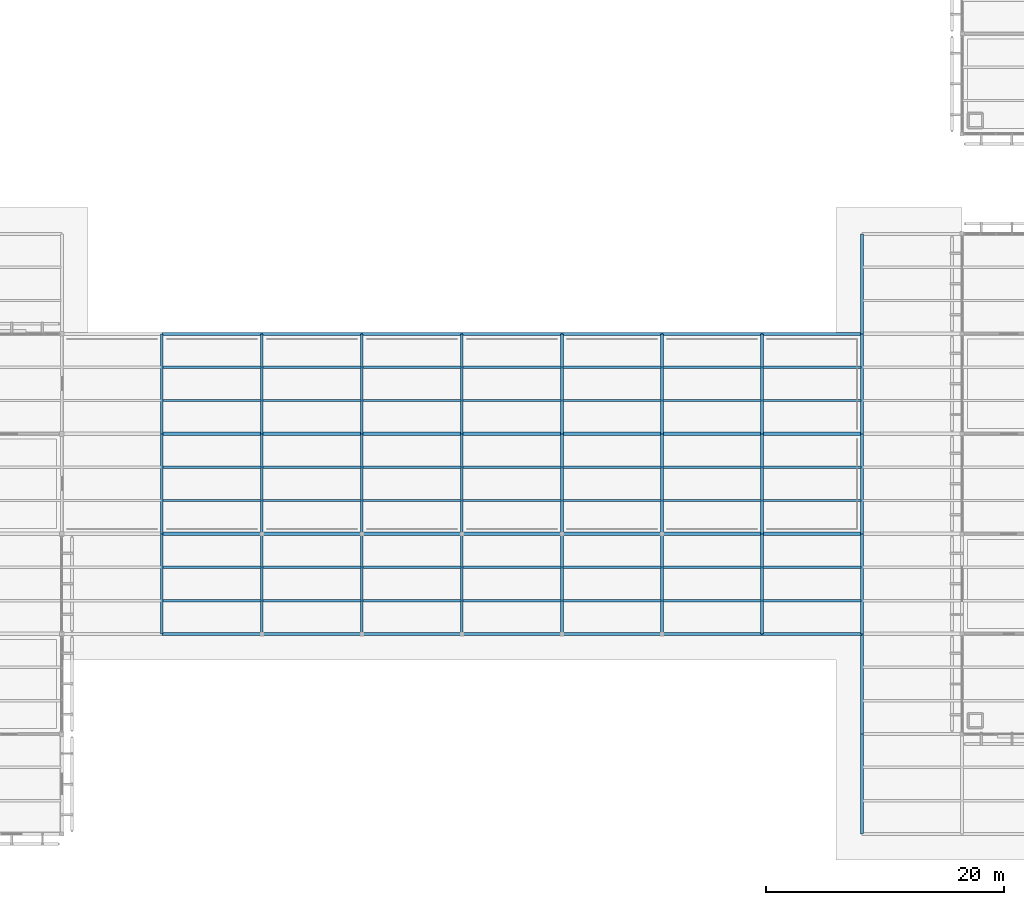
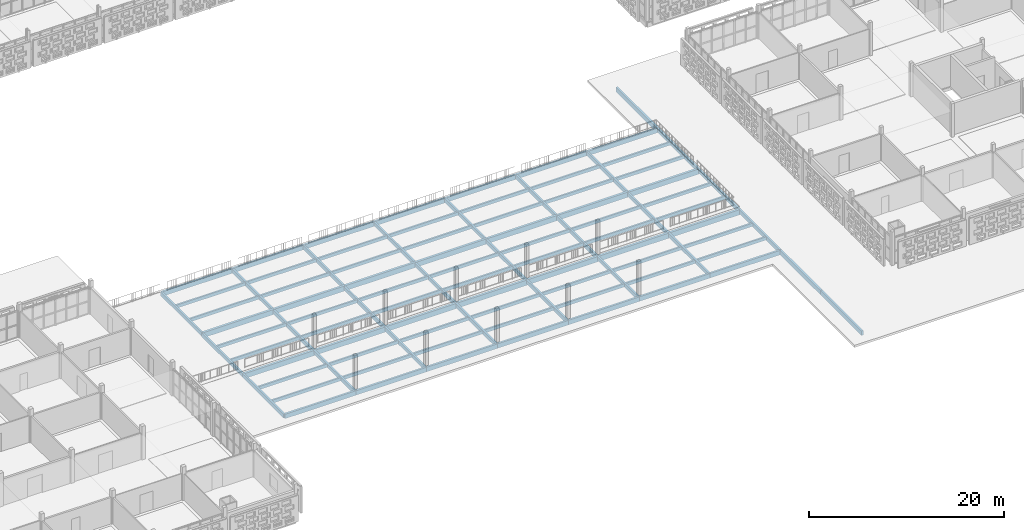
# One storey, part 30 of 166: 97 beams.
"""IFC4 building model written with IfcOpenShell, lengths in metres."""

from ifc_helpers import new_model, si_unit, direction, frame, origin, origin_2d, place, context, subcontext, project, spatial, rectangle, extrude, material, material_profile, profile_set, type_object, element, save


model = new_model("IFC4")

# Units and contexts
model_context = context("Model", 3, precision=1e-05, world=origin(), true_north=direction((0.0, 1.0)))
body_context = subcontext(model_context, "Body", "Model", "MODEL_VIEW")
ifc_project = project(units=[si_unit("LENGTHUNIT", "METRE"), si_unit("AREAUNIT", "SQUARE_METRE"), si_unit("VOLUMEUNIT", "CUBIC_METRE"), si_unit("PLANEANGLEUNIT", "RADIAN"), si_unit("MASSUNIT", "GRAM", prefix="KILO")], contexts=[model_context])

# Site, building, storey
site_placement = place(None, origin())
site = spatial("IfcSite", under=ifc_project, at=site_placement, CompositionType="ELEMENT")
building_placement = place(site_placement, origin())
building = spatial("IfcBuilding", under=site, at=building_placement, Name="Varnapada Polytechnic", CompositionType="ELEMENT")
storey_placement = place(building_placement, frame((0.0, 0.0, 9.60009765625)))
storey = spatial("IfcBuildingStorey", under=building, at=storey_placement, Name="L02", CompositionType="ELEMENT", Elevation=9.60009765625)

# Beams
ifc_material = material(Name="Glulam GL32h", Category="wood")
ifc_material_profile_1 = material_profile(ifc_material, rectangle(XDim=0.280029296875, YDim=0.639892578125, at=origin_2d()), Name="GL 280x640")
ifc_profile_set_1 = profile_set([ifc_material_profile_1], Name="Glulam GL32h")
beam_type_1 = type_object("IfcBeamType", Name="Laboratory primary glulam girder GG-02 (GL 280x640)", PredefinedType="BEAM", material=ifc_profile_set_1)
for number, where, z_axis, x_axis, name in (
    (1, (67.199951171875, 25.199951171875, -0.590087890625), (1.0, 0.0, 0.0), (0.0, 1.0, 0.0), "L02 beam X 9-10 at Y4"),
    (2, (67.199951171875, 33.60009765625, -0.550048828125), (1.0, 0.0, 0.0), (0.0, 1.0, 0.0), "L02 beam X 9-10 at Y5"),
):
    element("IfcBeam", number, at=place(storey_placement, frame(where, z_axis=z_axis, x_axis=x_axis)), inside=storey, type_object=beam_type_1, Name=name, PredefinedType="BEAM", context=body_context, shape_type="SweptSolid", body=[
        extrude(rectangle(XDim=0.280029296875, YDim=0.639892578125, at=origin_2d()), origin(), (0.0, 0.0, 1.0), 8.400146484375),
    ])
for number, where, z_axis, x_axis, name in (
    (3, (75.60009765625, 25.199951171875, -0.590087890625), (1.0, 0.0, 0.0), (0.0, 1.0, 0.0), "L02 beam X 10-11 at Y4"),
    (4, (75.60009765625, 33.60009765625, -0.550048828125), (1.0, 0.0, 0.0), (0.0, 1.0, 0.0), "L02 beam X 10-11 at Y5"),
    (5, (84.0, 25.199951171875, -0.590087890625), (1.0, 0.0, 0.0), (0.0, 1.0, 0.0), "L02 beam X 11-12 at Y4"),
    (6, (84.0, 33.60009765625, -0.550048828125), (1.0, 0.0, 0.0), (0.0, 1.0, 0.0), "L02 beam X 11-12 at Y5"),
):
    element("IfcBeam", number, at=place(storey_placement, frame(where, z_axis=z_axis, x_axis=x_axis)), inside=storey, type_object=beam_type_1, Name=name, PredefinedType="BEAM", context=body_context, shape_type="SweptSolid", body=[
        extrude(rectangle(XDim=0.280029296875, YDim=0.639892578125, at=origin_2d()), origin(), (0.0, 0.0, 1.0), 8.39990234375),
    ])
for number, where, z_axis, x_axis, name in (
    (7, (92.39990234375, 25.199951171875, -0.590087890625), (1.0, 0.0, 0.0), (0.0, 1.0, 0.0), "L02 beam X 12-13 at Y4"),
    (8, (92.39990234375, 33.60009765625, -0.550048828125), (1.0, 0.0, 0.0), (0.0, 1.0, 0.0), "L02 beam X 12-13 at Y5"),
):
    element("IfcBeam", number, at=place(storey_placement, frame(where, z_axis=z_axis, x_axis=x_axis)), inside=storey, type_object=beam_type_1, Name=name, PredefinedType="BEAM", context=body_context, shape_type="SweptSolid", body=[
        extrude(rectangle(XDim=0.280029296875, YDim=0.639892578125, at=origin_2d()), origin(), (0.0, 0.0, 1.0), 8.400146484375),
    ])
for number, where, z_axis, x_axis, name in (
    (9, (100.800048828125, 25.199951171875, -0.590087890625), (1.0, 0.0, 0.0), (0.0, 1.0, 0.0), "L02 beam X 13-14 at Y4"),
    (10, (100.800048828125, 33.60009765625, -0.550048828125), (1.0, 0.0, 0.0), (0.0, 1.0, 0.0), "L02 beam X 13-14 at Y5"),
):
    element("IfcBeam", number, at=place(storey_placement, frame(where, z_axis=z_axis, x_axis=x_axis)), inside=storey, type_object=beam_type_1, Name=name, PredefinedType="BEAM", context=body_context, shape_type="SweptSolid", body=[
        extrude(rectangle(XDim=0.280029296875, YDim=0.639892578125, at=origin_2d()), origin(), (0.0, 0.0, 1.0), 8.39990234375),
    ])
for number, where, z_axis, x_axis, name in (
    (11, (109.199951171875, 25.199951171875, -0.590087890625), (1.0, 0.0, 0.0), (0.0, 1.0, 0.0), "L02 beam X 14-15 at Y4"),
    (12, (109.199951171875, 33.60009765625, -0.550048828125), (1.0, 0.0, 0.0), (0.0, 1.0, 0.0), "L02 beam X 14-15 at Y5"),
):
    element("IfcBeam", number, at=place(storey_placement, frame(where, z_axis=z_axis, x_axis=x_axis)), inside=storey, type_object=beam_type_1, Name=name, PredefinedType="BEAM", context=body_context, shape_type="SweptSolid", body=[
        extrude(rectangle(XDim=0.280029296875, YDim=0.639892578125, at=origin_2d()), origin(), (0.0, 0.0, 1.0), 8.400146484375),
    ])
for number, where, z_axis, x_axis, name in (
    (13, (117.60009765625, 25.199951171875, -0.590087890625), (1.0, 0.0, 0.0), (0.0, 1.0, 0.0), "L02 beam X 15-16 at Y4"),
    (14, (117.60009765625, 33.60009765625, -0.590087890625), (1.0, 0.0, 0.0), (0.0, 1.0, 0.0), "L02 beam X 15-16 at Y5"),
):
    element("IfcBeam", number, at=place(storey_placement, frame(where, z_axis=z_axis, x_axis=x_axis)), inside=storey, type_object=beam_type_1, Name=name, PredefinedType="BEAM", context=body_context, shape_type="SweptSolid", body=[
        extrude(rectangle(XDim=0.280029296875, YDim=0.639892578125, at=origin_2d()), origin(), (0.0, 0.0, 1.0), 8.39990234375),
    ])
ifc_material_profile_2 = material_profile(ifc_material, rectangle(XDim=0.199951171875, YDim=0.39990234375, at=origin_2d()), Name="GL 200x400")
ifc_profile_set_2 = profile_set([ifc_material_profile_2], Name="Glulam GL32h")
beam_type_2 = type_object("IfcBeamType", Name="Library/laboratory glulam floor joist GJ-01 (GL 200x400)", PredefinedType="JOIST", material=ifc_profile_set_2)
for number, where, z_axis, x_axis, name in (
    (15, (67.280029296875, 19.60009765625, -0.47021484375), (1.0, 0.0, 0.0), (0.0, 1.0, 0.0), "L02 floor joist 9/3.1"),
    (16, (67.280029296875, 22.39990234375, -0.47021484375), (1.0, 0.0, 0.0), (0.0, 1.0, 0.0), "L02 floor joist 9/3.2"),
    (17, (67.280029296875, 28.0, -0.43017578125), (1.0, 0.0, 0.0), (0.0, 1.0, 0.0), "L02 floor joist 9/4.1"),
    (18, (67.280029296875, 30.800048828125, -0.43017578125), (1.0, 0.0, 0.0), (0.0, 1.0, 0.0), "L02 floor joist 9/4.2"),
    (19, (67.280029296875, 36.39990234375, -0.43017578125), (1.0, 0.0, 0.0), (0.0, 1.0, 0.0), "L02 floor joist 9/5.1"),
    (20, (67.280029296875, 39.199951171875, -0.43017578125), (1.0, 0.0, 0.0), (0.0, 1.0, 0.0), "L02 floor joist 9/5.2"),
    (21, (75.679931640625, 19.60009765625, -0.47021484375), (1.0, 0.0, 0.0), (0.0, 1.0, 0.0), "L02 floor joist 10/3.1"),
    (22, (75.679931640625, 22.39990234375, -0.47021484375), (1.0, 0.0, 0.0), (0.0, 1.0, 0.0), "L02 floor joist 10/3.2"),
    (23, (75.679931640625, 28.0, -0.43017578125), (1.0, 0.0, 0.0), (0.0, 1.0, 0.0), "L02 floor joist 10/4.1"),
    (24, (75.679931640625, 30.800048828125, -0.43017578125), (1.0, 0.0, 0.0), (0.0, 1.0, 0.0), "L02 floor joist 10/4.2"),
    (25, (75.679931640625, 36.39990234375, -0.43017578125), (1.0, 0.0, 0.0), (0.0, 1.0, 0.0), "L02 floor joist 10/5.1"),
    (26, (75.679931640625, 39.199951171875, -0.43017578125), (1.0, 0.0, 0.0), (0.0, 1.0, 0.0), "L02 floor joist 10/5.2"),
    (27, (84.080078125, 19.60009765625, -0.47021484375), (1.0, 0.0, 0.0), (0.0, 1.0, 0.0), "L02 floor joist 11/3.1"),
    (28, (84.080078125, 22.39990234375, -0.47021484375), (1.0, 0.0, 0.0), (0.0, 1.0, 0.0), "L02 floor joist 11/3.2"),
    (29, (84.080078125, 28.0, -0.43017578125), (1.0, 0.0, 0.0), (0.0, 1.0, 0.0), "L02 floor joist 11/4.1"),
    (30, (84.080078125, 30.800048828125, -0.43017578125), (1.0, 0.0, 0.0), (0.0, 1.0, 0.0), "L02 floor joist 11/4.2"),
    (31, (84.080078125, 36.39990234375, -0.43017578125), (1.0, 0.0, 0.0), (0.0, 1.0, 0.0), "L02 floor joist 11/5.1"),
    (32, (84.080078125, 39.199951171875, -0.43017578125), (1.0, 0.0, 0.0), (0.0, 1.0, 0.0), "L02 floor joist 11/5.2"),
    (33, (92.47998046875, 19.60009765625, -0.47021484375), (1.0, 0.0, 0.0), (0.0, 1.0, 0.0), "L02 floor joist 12/3.1"),
    (34, (92.47998046875, 22.39990234375, -0.47021484375), (1.0, 0.0, 0.0), (0.0, 1.0, 0.0), "L02 floor joist 12/3.2"),
    (35, (92.47998046875, 28.0, -0.43017578125), (1.0, 0.0, 0.0), (0.0, 1.0, 0.0), "L02 floor joist 12/4.1"),
    (36, (92.47998046875, 30.800048828125, -0.43017578125), (1.0, 0.0, 0.0), (0.0, 1.0, 0.0), "L02 floor joist 12/4.2"),
    (37, (92.47998046875, 36.39990234375, -0.43017578125), (1.0, 0.0, 0.0), (0.0, 1.0, 0.0), "L02 floor joist 12/5.1"),
    (38, (92.47998046875, 39.199951171875, -0.43017578125), (1.0, 0.0, 0.0), (0.0, 1.0, 0.0), "L02 floor joist 12/5.2"),
):
    element("IfcBeam", number, at=place(storey_placement, frame(where, z_axis=z_axis, x_axis=x_axis)), inside=storey, type_object=beam_type_2, Name=name, PredefinedType="JOIST", context=body_context, shape_type="SweptSolid", body=[
        extrude(rectangle(XDim=0.199951171875, YDim=0.39990234375, at=origin_2d()), origin(), (0.0, 0.0, 1.0), 8.239990234375),
    ])
for number, where, z_axis, x_axis, name in (
    (39, (100.8798828125, 19.60009765625, -0.47021484375), (1.0, 0.0, 0.0), (0.0, 1.0, 0.0), "L02 floor joist 13/3.1"),
    (40, (100.8798828125, 22.39990234375, -0.47021484375), (1.0, 0.0, 0.0), (0.0, 1.0, 0.0), "L02 floor joist 13/3.2"),
    (41, (100.8798828125, 28.0, -0.43017578125), (1.0, 0.0, 0.0), (0.0, 1.0, 0.0), "L02 floor joist 13/4.1"),
    (42, (100.8798828125, 30.800048828125, -0.43017578125), (1.0, 0.0, 0.0), (0.0, 1.0, 0.0), "L02 floor joist 13/4.2"),
    (43, (100.8798828125, 36.39990234375, -0.43017578125), (1.0, 0.0, 0.0), (0.0, 1.0, 0.0), "L02 floor joist 13/5.1"),
    (44, (100.8798828125, 39.199951171875, -0.43017578125), (1.0, 0.0, 0.0), (0.0, 1.0, 0.0), "L02 floor joist 13/5.2"),
):
    element("IfcBeam", number, at=place(storey_placement, frame(where, z_axis=z_axis, x_axis=x_axis)), inside=storey, type_object=beam_type_2, Name=name, PredefinedType="JOIST", context=body_context, shape_type="SweptSolid", body=[
        extrude(rectangle(XDim=0.199951171875, YDim=0.39990234375, at=origin_2d()), origin(), (0.0, 0.0, 1.0), 8.240234375),
    ])
for number, where, z_axis, x_axis, name in (
    (45, (109.280029296875, 19.60009765625, -0.47021484375), (1.0, 0.0, 0.0), (0.0, 1.0, 0.0), "L02 floor joist 14/3.1"),
    (46, (109.280029296875, 22.39990234375, -0.47021484375), (1.0, 0.0, 0.0), (0.0, 1.0, 0.0), "L02 floor joist 14/3.2"),
    (47, (109.280029296875, 28.0, -0.43017578125), (1.0, 0.0, 0.0), (0.0, 1.0, 0.0), "L02 floor joist 14/4.1"),
    (48, (109.280029296875, 30.800048828125, -0.43017578125), (1.0, 0.0, 0.0), (0.0, 1.0, 0.0), "L02 floor joist 14/4.2"),
    (49, (109.280029296875, 36.39990234375, -0.43017578125), (1.0, 0.0, 0.0), (0.0, 1.0, 0.0), "L02 floor joist 14/5.1"),
    (50, (109.280029296875, 39.199951171875, -0.43017578125), (1.0, 0.0, 0.0), (0.0, 1.0, 0.0), "L02 floor joist 14/5.2"),
    (51, (117.679931640625, 19.60009765625, -0.47021484375), (1.0, 0.0, 0.0), (0.0, 1.0, 0.0), "L02 floor joist 15/3.1"),
    (52, (117.679931640625, 22.39990234375, -0.47021484375), (1.0, 0.0, 0.0), (0.0, 1.0, 0.0), "L02 floor joist 15/3.2"),
    (53, (117.679931640625, 28.0, -0.47021484375), (1.0, 0.0, 0.0), (0.0, 1.0, 0.0), "L02 floor joist 15/4.1"),
    (54, (117.679931640625, 30.800048828125, -0.47021484375), (1.0, 0.0, 0.0), (0.0, 1.0, 0.0), "L02 floor joist 15/4.2"),
    (55, (117.679931640625, 36.39990234375, -0.47021484375), (1.0, 0.0, 0.0), (0.0, 1.0, 0.0), "L02 floor joist 15/5.1"),
    (56, (117.679931640625, 39.199951171875, -0.47021484375), (1.0, 0.0, 0.0), (0.0, 1.0, 0.0), "L02 floor joist 15/5.2"),
):
    element("IfcBeam", number, at=place(storey_placement, frame(where, z_axis=z_axis, x_axis=x_axis)), inside=storey, type_object=beam_type_2, Name=name, PredefinedType="JOIST", context=body_context, shape_type="SweptSolid", body=[
        extrude(rectangle(XDim=0.199951171875, YDim=0.39990234375, at=origin_2d()), origin(), (0.0, 0.0, 1.0), 8.239990234375),
    ])
ifc_material_profile_3 = material_profile(ifc_material, rectangle(XDim=0.239990234375, YDim=0.56005859375, at=origin_2d()), Name="GL 240x560")
ifc_profile_set_3 = profile_set([ifc_material_profile_3], Name="Glulam GL32h")
beam_type_3 = type_object("IfcBeamType", Name="Perimeter glulam spandrel beam SP-02 (GL 240x560)", PredefinedType="SPANDREL", material=ifc_profile_set_3)
for number, where, z_axis, x_axis, name in (
    (57, (67.199951171875, 16.800048828125, -0.550048828125), (1.0, 0.0, 0.0), (0.0, 1.0, 0.0), "L02 beam X 9-10 at Y3"),
    (58, (67.199951171875, 42.0, -0.510009765625), (1.0, 0.0, 0.0), (0.0, 1.0, 0.0), "L02 beam X 9-10 at Y6"),
):
    element("IfcBeam", number, at=place(storey_placement, frame(where, z_axis=z_axis, x_axis=x_axis)), inside=storey, type_object=beam_type_3, Name=name, PredefinedType="SPANDREL", context=body_context, shape_type="SweptSolid", body=[
        extrude(rectangle(XDim=0.239990234375, YDim=0.56005859375, at=origin_2d()), origin(), (0.0, 0.0, 1.0), 8.400146484375),
    ])
for number, where, z_axis, x_axis, name in (
    (59, (75.60009765625, 16.800048828125, -0.550048828125), (1.0, 0.0, 0.0), (0.0, 1.0, 0.0), "L02 beam X 10-11 at Y3"),
    (60, (75.60009765625, 42.0, -0.510009765625), (1.0, 0.0, 0.0), (0.0, 1.0, 0.0), "L02 beam X 10-11 at Y6"),
    (61, (84.0, 16.800048828125, -0.550048828125), (1.0, 0.0, 0.0), (0.0, 1.0, 0.0), "L02 beam X 11-12 at Y3"),
    (62, (84.0, 42.0, -0.510009765625), (1.0, 0.0, 0.0), (0.0, 1.0, 0.0), "L02 beam X 11-12 at Y6"),
):
    element("IfcBeam", number, at=place(storey_placement, frame(where, z_axis=z_axis, x_axis=x_axis)), inside=storey, type_object=beam_type_3, Name=name, PredefinedType="SPANDREL", context=body_context, shape_type="SweptSolid", body=[
        extrude(rectangle(XDim=0.239990234375, YDim=0.56005859375, at=origin_2d()), origin(), (0.0, 0.0, 1.0), 8.39990234375),
    ])
for number, where, z_axis, x_axis, name in (
    (63, (92.39990234375, 16.800048828125, -0.550048828125), (1.0, 0.0, 0.0), (0.0, 1.0, 0.0), "L02 beam X 12-13 at Y3"),
    (64, (92.39990234375, 42.0, -0.510009765625), (1.0, 0.0, 0.0), (0.0, 1.0, 0.0), "L02 beam X 12-13 at Y6"),
):
    element("IfcBeam", number, at=place(storey_placement, frame(where, z_axis=z_axis, x_axis=x_axis)), inside=storey, type_object=beam_type_3, Name=name, PredefinedType="SPANDREL", context=body_context, shape_type="SweptSolid", body=[
        extrude(rectangle(XDim=0.239990234375, YDim=0.56005859375, at=origin_2d()), origin(), (0.0, 0.0, 1.0), 8.400146484375),
    ])
for number, where, z_axis, x_axis, name in (
    (65, (100.800048828125, 16.800048828125, -0.550048828125), (1.0, 0.0, 0.0), (0.0, 1.0, 0.0), "L02 beam X 13-14 at Y3"),
    (66, (100.800048828125, 42.0, -0.510009765625), (1.0, 0.0, 0.0), (0.0, 1.0, 0.0), "L02 beam X 13-14 at Y6"),
):
    element("IfcBeam", number, at=place(storey_placement, frame(where, z_axis=z_axis, x_axis=x_axis)), inside=storey, type_object=beam_type_3, Name=name, PredefinedType="SPANDREL", context=body_context, shape_type="SweptSolid", body=[
        extrude(rectangle(XDim=0.239990234375, YDim=0.56005859375, at=origin_2d()), origin(), (0.0, 0.0, 1.0), 8.39990234375),
    ])
for number, where, z_axis, x_axis, name in (
    (67, (109.199951171875, 16.800048828125, -0.550048828125), (1.0, 0.0, 0.0), (0.0, 1.0, 0.0), "L02 beam X 14-15 at Y3"),
    (68, (109.199951171875, 42.0, -0.510009765625), (1.0, 0.0, 0.0), (0.0, 1.0, 0.0), "L02 beam X 14-15 at Y6"),
):
    element("IfcBeam", number, at=place(storey_placement, frame(where, z_axis=z_axis, x_axis=x_axis)), inside=storey, type_object=beam_type_3, Name=name, PredefinedType="SPANDREL", context=body_context, shape_type="SweptSolid", body=[
        extrude(rectangle(XDim=0.239990234375, YDim=0.56005859375, at=origin_2d()), origin(), (0.0, 0.0, 1.0), 8.400146484375),
    ])
for number, where, z_axis, x_axis, name in (
    (69, (117.60009765625, 16.800048828125, -0.550048828125), (1.0, 0.0, 0.0), (0.0, 1.0, 0.0), "L02 beam X 15-16 at Y3"),
    (70, (117.60009765625, 42.0, -0.550048828125), (1.0, 0.0, 0.0), (0.0, 1.0, 0.0), "L02 beam X 15-16 at Y6"),
    (71, (126.0, 0.0, -0.550048828125), (0.0, 1.0, 0.0), (-1.0, 0.0, 0.0), "L02 beam Y 1-2 at X16"),
):
    element("IfcBeam", number, at=place(storey_placement, frame(where, z_axis=z_axis, x_axis=x_axis)), inside=storey, type_object=beam_type_3, Name=name, PredefinedType="SPANDREL", context=body_context, shape_type="SweptSolid", body=[
        extrude(rectangle(XDim=0.239990234375, YDim=0.56005859375, at=origin_2d()), origin(), (0.0, 0.0, 1.0), 8.39990234375),
    ])
beam_1_placement = place(storey_placement, frame((126.0, 8.39990234375, -0.550048828125), z_axis=(0.0, 1.0, 0.0), x_axis=(-1.0, 0.0, 0.0)))
element("IfcBeam", 72, at=beam_1_placement, inside=storey, type_object=beam_type_3, Name="L02 beam Y 2-3 at X16", PredefinedType="SPANDREL", context=body_context, shape_type="SweptSolid", body=[
    extrude(rectangle(XDim=0.239990234375, YDim=0.56005859375, at=origin_2d()), origin(), (0.0, 0.0, 1.0), 8.400146484375),
])
beam_2_placement = place(storey_placement, frame((126.0, 42.0, -0.550048828125), z_axis=(0.0, 1.0, 0.0), x_axis=(-1.0, 0.0, 0.0)))
element("IfcBeam", 73, at=beam_2_placement, inside=storey, type_object=beam_type_3, Name="L02 beam Y 6-7 at X16", PredefinedType="SPANDREL", context=body_context, shape_type="SweptSolid", body=[
    extrude(rectangle(XDim=0.239990234375, YDim=0.56005859375, at=origin_2d()), origin(), (0.0, 0.0, 1.0), 8.39990234375),
])
ifc_material_profile_4 = material_profile(ifc_material, rectangle(XDim=0.219970703125, YDim=0.47998046875, at=origin_2d()), Name="GL 220x480")
ifc_profile_set_4 = profile_set([ifc_material_profile_4], Name="Glulam GL32h")
beam_type_4 = type_object("IfcBeamType", Name="Upper floor glulam tie beam GB-11 (GL 220x480)", PredefinedType="BEAM", material=ifc_profile_set_4)
beam_3_placement = place(storey_placement, frame((67.199951171875, 16.800048828125, -0.510009765625), z_axis=(0.0, 1.0, 0.0), x_axis=(-1.0, 0.0, 0.0)))
element("IfcBeam", 74, at=beam_3_placement, inside=storey, type_object=beam_type_4, Name="L02 beam Y 3-4 at X9", PredefinedType="BEAM", context=body_context, shape_type="SweptSolid", body=[
    extrude(rectangle(XDim=0.219970703125, YDim=0.47998046875, at=origin_2d()), origin(), (0.0, 0.0, 1.0), 8.39990234375),
])
beam_4_placement = place(storey_placement, frame((67.199951171875, 25.199951171875, -0.510009765625), z_axis=(0.0, 1.0, 0.0), x_axis=(-1.0, 0.0, 0.0)))
element("IfcBeam", 75, at=beam_4_placement, inside=storey, type_object=beam_type_4, Name="L02 beam Y 4-5 at X9", PredefinedType="BEAM", context=body_context, shape_type="SweptSolid", body=[
    extrude(rectangle(XDim=0.219970703125, YDim=0.47998046875, at=origin_2d()), origin(), (0.0, 0.0, 1.0), 8.400146484375),
])
for number, where, z_axis, x_axis, name in (
    (76, (67.199951171875, 33.60009765625, -0.47021484375), (0.0, 1.0, 0.0), (-1.0, 0.0, 0.0), "L02 beam Y 5-6 at X9"),
    (77, (75.60009765625, 16.800048828125, -0.510009765625), (0.0, 1.0, 0.0), (-1.0, 0.0, 0.0), "L02 beam Y 3-4 at X10"),
):
    element("IfcBeam", number, at=place(storey_placement, frame(where, z_axis=z_axis, x_axis=x_axis)), inside=storey, type_object=beam_type_4, Name=name, PredefinedType="BEAM", context=body_context, shape_type="SweptSolid", body=[
        extrude(rectangle(XDim=0.219970703125, YDim=0.47998046875, at=origin_2d()), origin(), (0.0, 0.0, 1.0), 8.39990234375),
    ])
beam_5_placement = place(storey_placement, frame((75.60009765625, 25.199951171875, -0.510009765625), z_axis=(0.0, 1.0, 0.0), x_axis=(-1.0, 0.0, 0.0)))
element("IfcBeam", 78, at=beam_5_placement, inside=storey, type_object=beam_type_4, Name="L02 beam Y 4-5 at X10", PredefinedType="BEAM", context=body_context, shape_type="SweptSolid", body=[
    extrude(rectangle(XDim=0.219970703125, YDim=0.47998046875, at=origin_2d()), origin(), (0.0, 0.0, 1.0), 8.400146484375),
])
for number, where, z_axis, x_axis, name in (
    (79, (75.60009765625, 33.60009765625, -0.47021484375), (0.0, 1.0, 0.0), (-1.0, 0.0, 0.0), "L02 beam Y 5-6 at X10"),
    (80, (84.0, 16.800048828125, -0.510009765625), (0.0, 1.0, 0.0), (-1.0, 0.0, 0.0), "L02 beam Y 3-4 at X11"),
):
    element("IfcBeam", number, at=place(storey_placement, frame(where, z_axis=z_axis, x_axis=x_axis)), inside=storey, type_object=beam_type_4, Name=name, PredefinedType="BEAM", context=body_context, shape_type="SweptSolid", body=[
        extrude(rectangle(XDim=0.219970703125, YDim=0.47998046875, at=origin_2d()), origin(), (0.0, 0.0, 1.0), 8.39990234375),
    ])
beam_6_placement = place(storey_placement, frame((84.0, 25.199951171875, -0.510009765625), z_axis=(0.0, 1.0, 0.0), x_axis=(-1.0, 0.0, 0.0)))
element("IfcBeam", 81, at=beam_6_placement, inside=storey, type_object=beam_type_4, Name="L02 beam Y 4-5 at X11", PredefinedType="BEAM", context=body_context, shape_type="SweptSolid", body=[
    extrude(rectangle(XDim=0.219970703125, YDim=0.47998046875, at=origin_2d()), origin(), (0.0, 0.0, 1.0), 8.400146484375),
])
for number, where, z_axis, x_axis, name in (
    (82, (84.0, 33.60009765625, -0.47021484375), (0.0, 1.0, 0.0), (-1.0, 0.0, 0.0), "L02 beam Y 5-6 at X11"),
    (83, (92.39990234375, 16.800048828125, -0.510009765625), (0.0, 1.0, 0.0), (-1.0, 0.0, 0.0), "L02 beam Y 3-4 at X12"),
):
    element("IfcBeam", number, at=place(storey_placement, frame(where, z_axis=z_axis, x_axis=x_axis)), inside=storey, type_object=beam_type_4, Name=name, PredefinedType="BEAM", context=body_context, shape_type="SweptSolid", body=[
        extrude(rectangle(XDim=0.219970703125, YDim=0.47998046875, at=origin_2d()), origin(), (0.0, 0.0, 1.0), 8.39990234375),
    ])
beam_7_placement = place(storey_placement, frame((92.39990234375, 25.199951171875, -0.510009765625), z_axis=(0.0, 1.0, 0.0), x_axis=(-1.0, 0.0, 0.0)))
element("IfcBeam", 84, at=beam_7_placement, inside=storey, type_object=beam_type_4, Name="L02 beam Y 4-5 at X12", PredefinedType="BEAM", context=body_context, shape_type="SweptSolid", body=[
    extrude(rectangle(XDim=0.219970703125, YDim=0.47998046875, at=origin_2d()), origin(), (0.0, 0.0, 1.0), 8.400146484375),
])
for number, where, z_axis, x_axis, name in (
    (85, (92.39990234375, 33.60009765625, -0.47021484375), (0.0, 1.0, 0.0), (-1.0, 0.0, 0.0), "L02 beam Y 5-6 at X12"),
    (86, (100.800048828125, 16.800048828125, -0.510009765625), (0.0, 1.0, 0.0), (-1.0, 0.0, 0.0), "L02 beam Y 3-4 at X13"),
):
    element("IfcBeam", number, at=place(storey_placement, frame(where, z_axis=z_axis, x_axis=x_axis)), inside=storey, type_object=beam_type_4, Name=name, PredefinedType="BEAM", context=body_context, shape_type="SweptSolid", body=[
        extrude(rectangle(XDim=0.219970703125, YDim=0.47998046875, at=origin_2d()), origin(), (0.0, 0.0, 1.0), 8.39990234375),
    ])
beam_8_placement = place(storey_placement, frame((100.800048828125, 25.199951171875, -0.510009765625), z_axis=(0.0, 1.0, 0.0), x_axis=(-1.0, 0.0, 0.0)))
element("IfcBeam", 87, at=beam_8_placement, inside=storey, type_object=beam_type_4, Name="L02 beam Y 4-5 at X13", PredefinedType="BEAM", context=body_context, shape_type="SweptSolid", body=[
    extrude(rectangle(XDim=0.219970703125, YDim=0.47998046875, at=origin_2d()), origin(), (0.0, 0.0, 1.0), 8.400146484375),
])
for number, where, z_axis, x_axis, name in (
    (88, (100.800048828125, 33.60009765625, -0.47021484375), (0.0, 1.0, 0.0), (-1.0, 0.0, 0.0), "L02 beam Y 5-6 at X13"),
    (89, (109.199951171875, 16.800048828125, -0.510009765625), (0.0, 1.0, 0.0), (-1.0, 0.0, 0.0), "L02 beam Y 3-4 at X14"),
):
    element("IfcBeam", number, at=place(storey_placement, frame(where, z_axis=z_axis, x_axis=x_axis)), inside=storey, type_object=beam_type_4, Name=name, PredefinedType="BEAM", context=body_context, shape_type="SweptSolid", body=[
        extrude(rectangle(XDim=0.219970703125, YDim=0.47998046875, at=origin_2d()), origin(), (0.0, 0.0, 1.0), 8.39990234375),
    ])
beam_9_placement = place(storey_placement, frame((109.199951171875, 25.199951171875, -0.510009765625), z_axis=(0.0, 1.0, 0.0), x_axis=(-1.0, 0.0, 0.0)))
element("IfcBeam", 90, at=beam_9_placement, inside=storey, type_object=beam_type_4, Name="L02 beam Y 4-5 at X14", PredefinedType="BEAM", context=body_context, shape_type="SweptSolid", body=[
    extrude(rectangle(XDim=0.219970703125, YDim=0.47998046875, at=origin_2d()), origin(), (0.0, 0.0, 1.0), 8.400146484375),
])
for number, where, z_axis, x_axis, name in (
    (91, (109.199951171875, 33.60009765625, -0.47021484375), (0.0, 1.0, 0.0), (-1.0, 0.0, 0.0), "L02 beam Y 5-6 at X14"),
    (92, (117.60009765625, 16.800048828125, -0.510009765625), (0.0, 1.0, 0.0), (-1.0, 0.0, 0.0), "L02 beam Y 3-4 at X15"),
):
    element("IfcBeam", number, at=place(storey_placement, frame(where, z_axis=z_axis, x_axis=x_axis)), inside=storey, type_object=beam_type_4, Name=name, PredefinedType="BEAM", context=body_context, shape_type="SweptSolid", body=[
        extrude(rectangle(XDim=0.219970703125, YDim=0.47998046875, at=origin_2d()), origin(), (0.0, 0.0, 1.0), 8.39990234375),
    ])
beam_10_placement = place(storey_placement, frame((117.60009765625, 25.199951171875, -0.510009765625), z_axis=(0.0, 1.0, 0.0), x_axis=(-1.0, 0.0, 0.0)))
element("IfcBeam", 93, at=beam_10_placement, inside=storey, type_object=beam_type_4, Name="L02 beam Y 4-5 at X15", PredefinedType="BEAM", context=body_context, shape_type="SweptSolid", body=[
    extrude(rectangle(XDim=0.219970703125, YDim=0.47998046875, at=origin_2d()), origin(), (0.0, 0.0, 1.0), 8.400146484375),
])
for number, where, z_axis, x_axis, name in (
    (94, (117.60009765625, 33.60009765625, -0.47021484375), (0.0, 1.0, 0.0), (-1.0, 0.0, 0.0), "L02 beam Y 5-6 at X15"),
    (95, (126.0, 16.800048828125, -0.510009765625), (0.0, 1.0, 0.0), (-1.0, 0.0, 0.0), "L02 beam Y 3-4 at X16"),
):
    element("IfcBeam", number, at=place(storey_placement, frame(where, z_axis=z_axis, x_axis=x_axis)), inside=storey, type_object=beam_type_4, Name=name, PredefinedType="BEAM", context=body_context, shape_type="SweptSolid", body=[
        extrude(rectangle(XDim=0.219970703125, YDim=0.47998046875, at=origin_2d()), origin(), (0.0, 0.0, 1.0), 8.39990234375),
    ])
beam_11_placement = place(storey_placement, frame((126.0, 25.199951171875, -0.510009765625), z_axis=(0.0, 1.0, 0.0), x_axis=(-1.0, 0.0, 0.0)))
element("IfcBeam", 96, at=beam_11_placement, inside=storey, type_object=beam_type_4, Name="L02 beam Y 4-5 at X16", PredefinedType="BEAM", context=body_context, shape_type="SweptSolid", body=[
    extrude(rectangle(XDim=0.219970703125, YDim=0.47998046875, at=origin_2d()), origin(), (0.0, 0.0, 1.0), 8.400146484375),
])
beam_12_placement = place(storey_placement, frame((126.0, 33.60009765625, -0.510009765625), z_axis=(0.0, 1.0, 0.0), x_axis=(-1.0, 0.0, 0.0)))
element("IfcBeam", 97, at=beam_12_placement, inside=storey, type_object=beam_type_4, Name="L02 beam Y 5-6 at X16", PredefinedType="BEAM", context=body_context, shape_type="SweptSolid", body=[
    extrude(rectangle(XDim=0.219970703125, YDim=0.47998046875, at=origin_2d()), origin(), (0.0, 0.0, 1.0), 8.39990234375),
])

save(model, "model.ifc")
